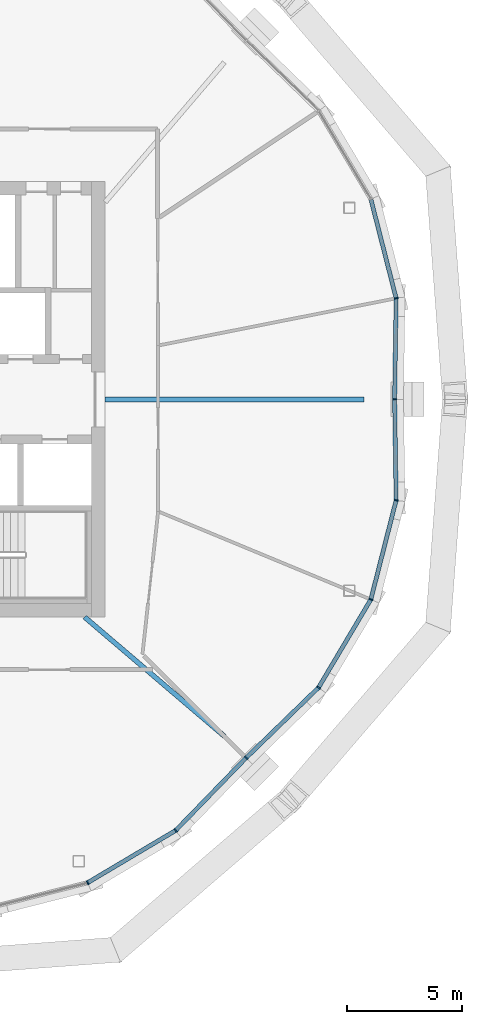
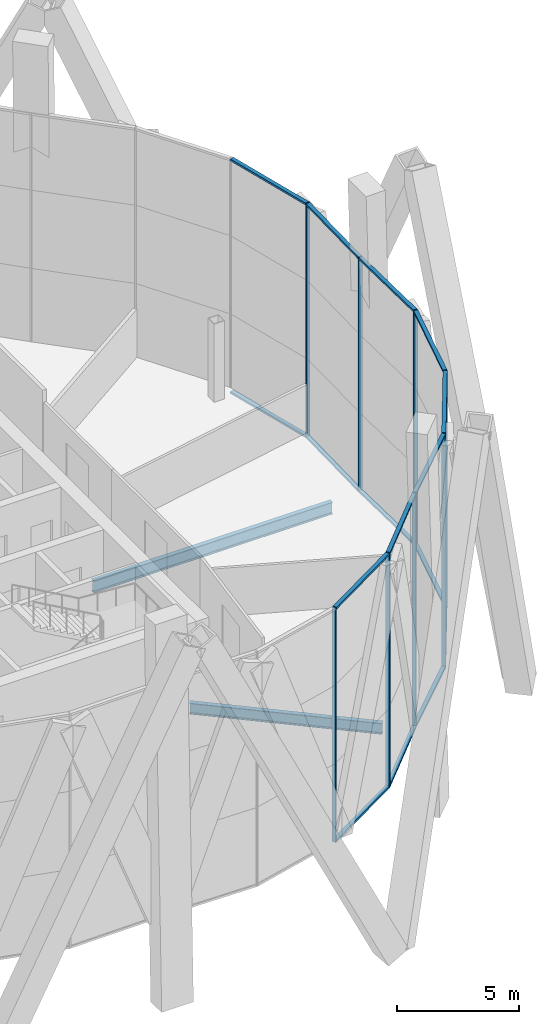
# One storey, part 5 of 23: 24 members, 2 beams, 3 elements without a shape of their own.
"""IFC4 building model written with IfcOpenShell, lengths in metres."""

from ifc_helpers import new_model, si_unit, direction, frame, origin, origin_2d, place, context, subcontext, project, spatial, rectangle, i_section, extrude, material, material_profile, profile_set, type_object, element, aggregate, save


model = new_model("IFC4")

# Units and contexts
model_context = context("Model", 3, precision=1e-05, world=origin(), true_north=direction((0.0, 1.0)))
body_context = subcontext(model_context, "Body", "Model", "MODEL_VIEW")
ifc_project = project(units=[si_unit("LENGTHUNIT", "METRE"), si_unit("AREAUNIT", "SQUARE_METRE"), si_unit("VOLUMEUNIT", "CUBIC_METRE"), si_unit("PLANEANGLEUNIT", "RADIAN"), si_unit("MASSUNIT", "GRAM", prefix="KILO")], contexts=[model_context])

# Site, building, storey
site_placement = place(None, origin())
site = spatial("IfcSite", under=ifc_project, at=site_placement, CompositionType="ELEMENT")
building_placement = place(site_placement, origin())
building = spatial("IfcBuilding", under=site, at=building_placement, Name="Ogive Gate Towers", CompositionType="ELEMENT")
storey_placement = place(building_placement, frame((0.0, 0.0, 165.60009765625)))
storey = spatial("IfcBuildingStorey", under=building, at=storey_placement, Name="L39", CompositionType="ELEMENT", Elevation=165.60009765625)

# Beams
ifc_material_1 = material(Name="Steel SM355", Category="steel")
ifc_material_profile_1 = material_profile(ifc_material_1, i_section(OverallWidth=0.2099609375, OverallDepth=0.550048828125, WebThickness=0.010986328125, FlangeThickness=0.01708984375, FilletRadius=0.02392578125, at=origin_2d()), Name="IPE 550")
ifc_profile_set_1 = profile_set([ifc_material_profile_1], Name="Steel SM355")
beam_type_1 = type_object("IfcBeamType", Name="Radial floor beam IPE 550", PredefinedType="BEAM", material=ifc_profile_set_1)
beam_1_placement = place(storey_placement, frame((-27.39990234375, -9.5, -0.5751953125), z_axis=(0.761079266418, -0.648658885878, 0.0), x_axis=(0.648658885878, 0.761079266418, 0.0)))
element("IfcBeam", 1, at=beam_1_placement, inside=storey, type_object=beam_type_1, Name="T1/L39/SBM003", PredefinedType="BEAM", context=body_context, shape_type="SweptSolid", body=[
    extrude(i_section(OverallWidth=0.2099609375, OverallDepth=0.550048828125, WebThickness=0.010986328125, FlangeThickness=0.01708984375, FilletRadius=0.02392578125, at=origin_2d()), origin(), (0.0, 0.0, 1.0), 8.0048828125),
])
ifc_material_profile_2 = material_profile(ifc_material_1, i_section(OverallWidth=0.219970703125, OverallDepth=0.60009765625, WebThickness=0.011962890625, FlangeThickness=0.01904296875, FilletRadius=0.02392578125, at=origin_2d()), Name="IPE 600")
ifc_profile_set_2 = profile_set([ifc_material_profile_2], Name="Steel SM355")
beam_type_2 = type_object("IfcBeamType", Name="Radial floor beam IPE 600", PredefinedType="BEAM", material=ifc_profile_set_2)
beam_2_placement = place(storey_placement, frame((-26.5, 0.0, -0.60009765625), z_axis=(1.0, 0.0, 0.0), x_axis=(0.0, 1.0, 0.0)))
element("IfcBeam", 2, at=beam_2_placement, inside=storey, type_object=beam_type_2, Name="T1/L39/SBM004", PredefinedType="BEAM", context=body_context, shape_type="SweptSolid", body=[
    extrude(i_section(OverallWidth=0.219970703125, OverallDepth=0.60009765625, WebThickness=0.011962890625, FlangeThickness=0.01904296875, FilletRadius=0.02392578125, at=origin_2d()), origin(), (0.0, 0.0, 1.0), 11.278076171875),
])

# Curtain wall, members
ifc_material_2 = material(Name="Pale metal aluminium", Category="aluminium")
curtain_wall_type = type_object("IfcCurtainWallType", Name="Tower unitised wall, high zone", PredefinedType="NOTDEFINED", material=ifc_material_2)
curtain_wall_1_placement = place(storey_placement, origin())
curtain_wall_1 = element("IfcCurtainWall", 3, at=curtain_wall_1_placement, inside=storey, type_object=curtain_wall_type, Name="CW2 T1 ECW01", PredefinedType="NOTDEFINED")
ifc_material_profile_3 = material_profile(ifc_material_2, rectangle(XDim=0.179931640625, YDim=0.06005859375, at=origin_2d()), Name="60 x 180 aluminium box")
ifc_profile_set_3 = profile_set([ifc_material_profile_3], Name="Pale metal aluminium")
member_type_1 = type_object("IfcMemberType", Name="Tower unitised wall, high zone mullion 60 x 180", PredefinedType="MULLION", material=ifc_profile_set_3)
member_1_placement = place(storey_placement, frame((-13.8798828125, 0.000244140625, -0.300048828125), z_axis=(0.0, 0.0, 1.0), x_axis=(0.99988339091, -0.015271037347, 0.0)))
member_1 = element("IfcMember", 4, at=member_1_placement, type_object=member_type_1, Name="CW2 mullion", PredefinedType="MULLION", context=body_context, shape_type="SweptSolid", body=[
    extrude(rectangle(XDim=0.179931640625, YDim=0.06005859375, at=origin_2d()), origin(), (0.0, 0.0, 1.0), 11.699951171875),
])
member_2_placement = place(storey_placement, frame((-13.8125, 4.406005859375, -0.300048828125), z_axis=(0.0, 0.0, 1.0), x_axis=(0.993138030198, 0.116948078113, 0.0)))
member_2 = element("IfcMember", 5, at=member_2_placement, type_object=member_type_1, Name="CW2 mullion", PredefinedType="MULLION", context=body_context, shape_type="SweptSolid", body=[
    extrude(rectangle(XDim=0.179931640625, YDim=0.06005859375, at=origin_2d()), origin(), (0.0, 0.0, 1.0), 11.699951171875),
])

curtain_wall_2_placement = place(storey_placement, origin())
curtain_wall_2 = element("IfcCurtainWall", 6, at=curtain_wall_2_placement, inside=storey, type_object=curtain_wall_type, Name="CW2 T1 ECW07", PredefinedType="NOTDEFINED")
member_3_placement = place(storey_placement, frame((-27.2666015625, -21.083984375, -0.300048828125), z_axis=(0.0, 0.0, 1.0), x_axis=(0.382683432365, -0.923879532511, 0.0)))
member_3 = element("IfcMember", 7, at=member_3_placement, type_object=member_type_1, Name="CW2 mullion", PredefinedType="MULLION", context=body_context, shape_type="SweptSolid", body=[
    extrude(rectangle(XDim=0.179931640625, YDim=0.06005859375, at=origin_2d()), origin(), (0.0, 0.0, 1.0), 11.699951171875),
])
member_4_placement = place(storey_placement, frame((-23.4267578125, -18.804443359375, -0.300048828125), z_axis=(0.0, 0.0, 1.0), x_axis=(0.619559856727, -0.784949414887, 0.0)))
member_4 = element("IfcMember", 8, at=member_4_placement, type_object=member_type_1, Name="CW2 mullion", PredefinedType="MULLION", context=body_context, shape_type="SweptSolid", body=[
    extrude(rectangle(XDim=0.179931640625, YDim=0.06005859375, at=origin_2d()), origin(), (0.0, 0.0, 1.0), 11.699951171875),
])
member_5_placement = place(storey_placement, frame((-20.35888671875, -15.641357421875, -0.300048828125), z_axis=(0.0, 0.0, 1.0), x_axis=(0.717810428625, -0.696238600306, 0.0)))
member_5 = element("IfcMember", 9, at=member_5_placement, type_object=member_type_1, Name="CW2 mullion", PredefinedType="MULLION", context=body_context, shape_type="SweptSolid", body=[
    extrude(rectangle(XDim=0.179931640625, YDim=0.06005859375, at=origin_2d()), origin(), (0.0, 0.0, 1.0), 11.699951171875),
])

curtain_wall_3_placement = place(storey_placement, origin())
curtain_wall_3 = element("IfcCurtainWall", 10, at=curtain_wall_3_placement, inside=storey, type_object=curtain_wall_type, Name="CW2 T1 ECW08", PredefinedType="NOTDEFINED")
member_6_placement = place(storey_placement, frame((-17.195556640625, -12.5732421875, -0.300048828125), z_axis=(0.0, 0.0, 1.0), x_axis=(0.784949414887, -0.619559856727, 0.0)))
member_6 = element("IfcMember", 11, at=member_6_placement, type_object=member_type_1, Name="CW2 mullion", PredefinedType="MULLION", context=body_context, shape_type="SweptSolid", body=[
    extrude(rectangle(XDim=0.179931640625, YDim=0.06005859375, at=origin_2d()), origin(), (0.0, 0.0, 1.0), 11.699951171875),
])
member_7_placement = place(storey_placement, frame((-14.916015625, -8.7333984375, -0.300048828125), z_axis=(0.0, 0.0, 1.0), x_axis=(0.923879532511, -0.382683432365, 0.0)))
member_7 = element("IfcMember", 12, at=member_7_placement, type_object=member_type_1, Name="CW2 mullion", PredefinedType="MULLION", context=body_context, shape_type="SweptSolid", body=[
    extrude(rectangle(XDim=0.179931640625, YDim=0.06005859375, at=origin_2d()), origin(), (0.0, 0.0, 1.0), 11.699951171875),
])
member_8_placement = place(storey_placement, frame((-13.8125, -4.406005859375, -0.300048828125), z_axis=(0.0, 0.0, 1.0), x_axis=(0.993138030198, -0.116948078113, 0.0)))
member_8 = element("IfcMember", 13, at=member_8_placement, type_object=member_type_1, Name="CW2 mullion", PredefinedType="MULLION", context=body_context, shape_type="SweptSolid", body=[
    extrude(rectangle(XDim=0.179931640625, YDim=0.06005859375, at=origin_2d()), origin(), (0.0, 0.0, 1.0), 11.699951171875),
])

# Member
ifc_material_profile_4 = material_profile(ifc_material_2, rectangle(XDim=0.179931640625, YDim=0.10009765625, at=origin_2d()), Name="100 x 180 aluminium box")
ifc_profile_set_4 = profile_set([ifc_material_profile_4], Name="Pale metal aluminium")
member_type_2 = type_object("IfcMemberType", Name="Tower unitised wall, high zone transom 100 x 180", PredefinedType="USERDEFINED", material=ifc_profile_set_4)
member_9_placement = place(storey_placement, frame((-13.87939453125, 0.030029296875, 11.349853515625), z_axis=(0.015216972107, 0.999884215177, 0.0), x_axis=(-0.999884215177, 0.015216972107, 0.0)))
member_9 = element("IfcMember", 14, at=member_9_placement, type_object=member_type_2, Name="CW2 transom", ObjectType="TRANSOM", PredefinedType="USERDEFINED", context=body_context, shape_type="SweptSolid", body=[
    extrude(rectangle(XDim=0.179931640625, YDim=0.10009765625, at=origin_2d()), origin(), (0.0, 0.0, 1.0), 4.347900390625),
])

member_10_placement = place(storey_placement, frame((-13.87939453125, 0.030029296875, -0.25), z_axis=(0.015216972107, 0.999884215177, 0.0), x_axis=(-0.999884215177, 0.015216972107, 0.0)))
member_10 = element("IfcMember", 15, at=member_10_placement, type_object=member_type_2, Name="CW2 transom", ObjectType="TRANSOM", PredefinedType="USERDEFINED", context=body_context, shape_type="SweptSolid", body=[
    extrude(rectangle(XDim=0.179931640625, YDim=0.10009765625, at=origin_2d()), origin(), (0.0, 0.0, 1.0), 4.347900390625),
])

member_11_placement = place(storey_placement, frame((-13.81982421875, 4.433837890625, 11.349853515625), z_axis=(-0.247106686967, 0.968988279215, 0.0), x_axis=(-0.968988279215, -0.247106686967, 0.0)))
member_11 = element("IfcMember", 16, at=member_11_placement, type_object=member_type_2, Name="CW2 transom", ObjectType="TRANSOM", PredefinedType="USERDEFINED", context=body_context, shape_type="SweptSolid", body=[
    extrude(rectangle(XDim=0.179931640625, YDim=0.10009765625, at=origin_2d()), origin(), (0.0, 0.0, 1.0), 4.408447265625),
])

member_12_placement = place(storey_placement, frame((-13.81982421875, 4.433837890625, -0.25), z_axis=(-0.247106686967, 0.968988279215, 0.0), x_axis=(-0.968988279215, -0.247106686967, 0.0)))
member_12 = element("IfcMember", 17, at=member_12_placement, type_object=member_type_2, Name="CW2 transom", ObjectType="TRANSOM", PredefinedType="USERDEFINED", context=body_context, shape_type="SweptSolid", body=[
    extrude(rectangle(XDim=0.179931640625, YDim=0.10009765625, at=origin_2d()), origin(), (0.0, 0.0, 1.0), 4.408447265625),
])

aggregate(curtain_wall_1, [member_1, member_2, member_9, member_10, member_11, member_12])

member_13_placement = place(storey_placement, frame((-27.2421875, -21.069091796875, 11.349853515625), z_axis=(0.859907161712, 0.5104504611, 0.0), x_axis=(-0.5104504611, 0.859907161712, 0.0)))
member_13 = element("IfcMember", 18, at=member_13_placement, type_object=member_type_2, Name="CW2 transom", ObjectType="TRANSOM", PredefinedType="USERDEFINED", context=body_context, shape_type="SweptSolid", body=[
    extrude(rectangle(XDim=0.179931640625, YDim=0.10009765625, at=origin_2d()), origin(), (0.0, 0.0, 1.0), 4.408447265625),
])

member_14_placement = place(storey_placement, frame((-27.2421875, -21.069091796875, -0.25), z_axis=(0.859907161712, 0.5104504611, 0.0), x_axis=(-0.5104504611, 0.859907161712, 0.0)))
member_14 = element("IfcMember", 19, at=member_14_placement, type_object=member_type_2, Name="CW2 transom", ObjectType="TRANSOM", PredefinedType="USERDEFINED", context=body_context, shape_type="SweptSolid", body=[
    extrude(rectangle(XDim=0.179931640625, YDim=0.10009765625, at=origin_2d()), origin(), (0.0, 0.0, 1.0), 4.408447265625),
])

member_15_placement = place(storey_placement, frame((-23.40673828125, -18.78369140625, 11.349853515625), z_axis=(0.696214239877, 0.717834056166, 0.0), x_axis=(-0.717834056166, 0.696214239877, 0.0)))
member_15 = element("IfcMember", 20, at=member_15_placement, type_object=member_type_2, Name="CW2 transom", ObjectType="TRANSOM", PredefinedType="USERDEFINED", context=body_context, shape_type="SweptSolid", body=[
    extrude(rectangle(XDim=0.179931640625, YDim=0.10009765625, at=origin_2d()), origin(), (0.0, 0.0, 1.0), 4.34765625),
])

member_16_placement = place(storey_placement, frame((-23.40673828125, -18.78369140625, -0.25), z_axis=(0.696214239877, 0.717834056166, 0.0), x_axis=(-0.717834056166, 0.696214239877, 0.0)))
member_16 = element("IfcMember", 21, at=member_16_placement, type_object=member_type_2, Name="CW2 transom", ObjectType="TRANSOM", PredefinedType="USERDEFINED", context=body_context, shape_type="SweptSolid", body=[
    extrude(rectangle(XDim=0.179931640625, YDim=0.10009765625, at=origin_2d()), origin(), (0.0, 0.0, 1.0), 4.34765625),
])

aggregate(curtain_wall_2, [member_3, member_4, member_13, member_14, member_5, member_15, member_16])

member_17_placement = place(storey_placement, frame((-20.337158203125, -15.6201171875, 11.349853515625), z_axis=(0.717834056166, 0.696214239877, 0.0), x_axis=(-0.696214239877, 0.717834056166, 0.0)))
member_17 = element("IfcMember", 22, at=member_17_placement, type_object=member_type_2, Name="CW2 transom", ObjectType="TRANSOM", PredefinedType="USERDEFINED", context=body_context, shape_type="SweptSolid", body=[
    extrude(rectangle(XDim=0.179931640625, YDim=0.10009765625, at=origin_2d()), origin(), (0.0, 0.0, 1.0), 4.34765625),
])

member_18_placement = place(storey_placement, frame((-20.337158203125, -15.6201171875, -0.25), z_axis=(0.717834056166, 0.696214239877, 0.0), x_axis=(-0.696214239877, 0.717834056166, 0.0)))
member_18 = element("IfcMember", 23, at=member_18_placement, type_object=member_type_2, Name="CW2 transom", ObjectType="TRANSOM", PredefinedType="USERDEFINED", context=body_context, shape_type="SweptSolid", body=[
    extrude(rectangle(XDim=0.179931640625, YDim=0.10009765625, at=origin_2d()), origin(), (0.0, 0.0, 1.0), 4.34765625),
])

member_19_placement = place(storey_placement, frame((-17.18115234375, -12.548583984375, 11.349853515625), z_axis=(0.5104504611, 0.859907161712, 0.0), x_axis=(-0.859907161712, 0.5104504611, 0.0)))
member_19 = element("IfcMember", 24, at=member_19_placement, type_object=member_type_2, Name="CW2 transom", ObjectType="TRANSOM", PredefinedType="USERDEFINED", context=body_context, shape_type="SweptSolid", body=[
    extrude(rectangle(XDim=0.179931640625, YDim=0.10009765625, at=origin_2d()), origin(), (0.0, 0.0, 1.0), 4.408447265625),
])

member_20_placement = place(storey_placement, frame((-17.18115234375, -12.548583984375, -0.25), z_axis=(0.5104504611, 0.859907161712, 0.0), x_axis=(-0.859907161712, 0.5104504611, 0.0)))
member_20 = element("IfcMember", 25, at=member_20_placement, type_object=member_type_2, Name="CW2 transom", ObjectType="TRANSOM", PredefinedType="USERDEFINED", context=body_context, shape_type="SweptSolid", body=[
    extrude(rectangle(XDim=0.179931640625, YDim=0.10009765625, at=origin_2d()), origin(), (0.0, 0.0, 1.0), 4.408447265625),
])

member_21_placement = place(storey_placement, frame((-14.9091796875, -8.70556640625, 11.349853515625), z_axis=(0.247106686967, 0.968988279215, 0.0), x_axis=(-0.968988279215, 0.247106686967, 0.0)))
member_21 = element("IfcMember", 26, at=member_21_placement, type_object=member_type_2, Name="CW2 transom", ObjectType="TRANSOM", PredefinedType="USERDEFINED", context=body_context, shape_type="SweptSolid", body=[
    extrude(rectangle(XDim=0.179931640625, YDim=0.10009765625, at=origin_2d()), origin(), (0.0, 0.0, 1.0), 4.408447265625),
])

member_22_placement = place(storey_placement, frame((-14.9091796875, -8.70556640625, -0.25), z_axis=(0.247106686967, 0.968988279215, 0.0), x_axis=(-0.968988279215, 0.247106686967, 0.0)))
member_22 = element("IfcMember", 27, at=member_22_placement, type_object=member_type_2, Name="CW2 transom", ObjectType="TRANSOM", PredefinedType="USERDEFINED", context=body_context, shape_type="SweptSolid", body=[
    extrude(rectangle(XDim=0.179931640625, YDim=0.10009765625, at=origin_2d()), origin(), (0.0, 0.0, 1.0), 4.408447265625),
])

member_23_placement = place(storey_placement, frame((-13.813232421875, -4.37744140625, 11.349853515625), z_axis=(-0.015216972107, 0.999884215177, 0.0), x_axis=(-0.999884215177, -0.015216972107, 0.0)))
member_23 = element("IfcMember", 28, at=member_23_placement, type_object=member_type_2, Name="CW2 transom", ObjectType="TRANSOM", PredefinedType="USERDEFINED", context=body_context, shape_type="SweptSolid", body=[
    extrude(rectangle(XDim=0.179931640625, YDim=0.10009765625, at=origin_2d()), origin(), (0.0, 0.0, 1.0), 4.347900390625),
])

member_24_placement = place(storey_placement, frame((-13.813232421875, -4.37744140625, -0.25), z_axis=(-0.015216972107, 0.999884215177, 0.0), x_axis=(-0.999884215177, -0.015216972107, 0.0)))
member_24 = element("IfcMember", 29, at=member_24_placement, type_object=member_type_2, Name="CW2 transom", ObjectType="TRANSOM", PredefinedType="USERDEFINED", context=body_context, shape_type="SweptSolid", body=[
    extrude(rectangle(XDim=0.179931640625, YDim=0.10009765625, at=origin_2d()), origin(), (0.0, 0.0, 1.0), 4.347900390625),
])

aggregate(curtain_wall_3, [member_6, member_17, member_18, member_7, member_19, member_20, member_8, member_21, member_22, member_23, member_24])

save(model, "model.ifc")
